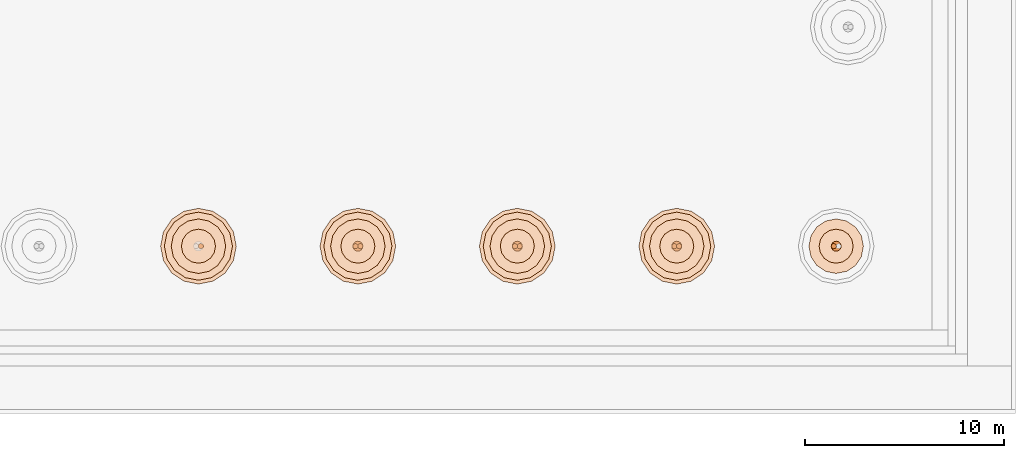
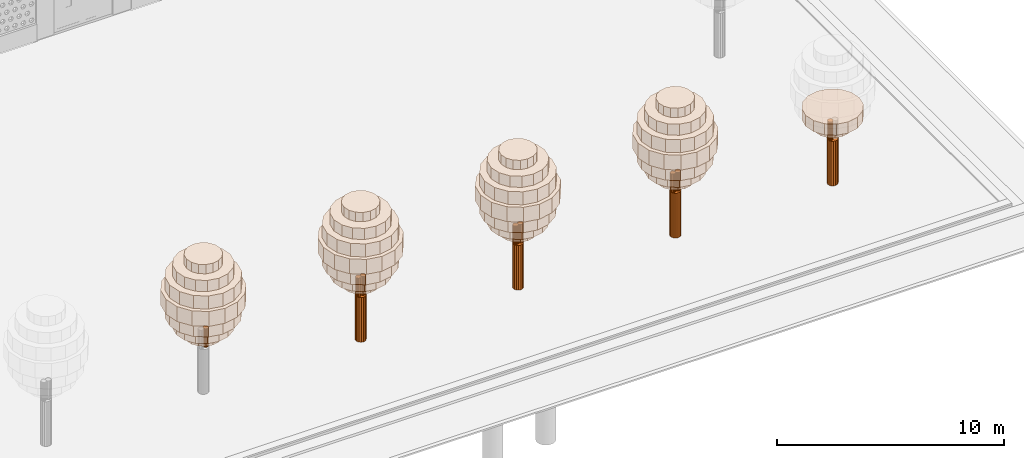
# One storey, part 244 of 250: 42 geographic elements.
"""IFC4 building model written with IfcOpenShell, lengths in metres."""

import ifcopenshell
import ifcopenshell.guid

model = None  # the IFC model being written
_history = None  # IfcOwnerHistory: only IFC2X3 demands one
_inside = {}  # id of a spatial element -> (the spatial element, [elements in it])
_under = {}  # id of a project, library or spatial element -> (it, [spatial elements below it])
_declared = {}  # id of a project -> (the project, [libraries it declares])
_typed = {}  # id of a type object -> (the type object, [elements of that type])
_made_of = {}  # id of a material, layer set ... -> (it, [elements and type objects made of it])


def new_model(schema):
    """Start an empty IFC model of exactly this schema.

    Asked for "IFC4X3", IfcOpenShell would pick the latest addendum, in which some entities
    have other attributes; the version numbers below select the first issue.
    IFC2X3 requires an IfcOwnerHistory on every rooted entity: one is made here for all.
    """
    global model, _history
    if schema == "IFC4X3":
        model = ifcopenshell.file(schema_version=(4, 3, 0, 0))
    else:
        model = ifcopenshell.file(schema=schema)
    _inside.clear()
    _under.clear()
    _declared.clear()
    _typed.clear()
    _made_of.clear()
    _history = None
    if model.schema == "IFC2X3":
        org = make("IfcOrganization", Name="unknown")
        user = make(
            "IfcPersonAndOrganization",
            ThePerson=make("IfcPerson", FamilyName="unknown"),
            TheOrganization=org,
        )
        app = make(
            "IfcApplication",
            ApplicationDeveloper=org,
            Version="unknown",
            ApplicationFullName="unknown",
            ApplicationIdentifier="unknown",
        )
        _history = make(
            "IfcOwnerHistory",
            OwningUser=user,
            OwningApplication=app,
            ChangeAction="ADDED",
            CreationDate=0,
        )
    return model


def make(cls, **values):
    """One entity of the class cls with the attributes given. An attribute that is None is left unset."""
    return model.create_entity(
        cls, **{name: value for name, value in values.items() if value is not None}
    )


def rooted(cls, **values):
    """An entity with a GlobalId (a new one), such as an element, a storey or a relation."""
    return make(cls, GlobalId=ifcopenshell.guid.new(), OwnerHistory=_history, **values)


def si_unit(unit_type, name, prefix=None):
    """IfcSIUnit, for example si_unit("LENGTHUNIT", "METRE", prefix="MILLI")."""
    return make("IfcSIUnit", UnitType=unit_type, Prefix=prefix, Name=name)


def assignment(units):
    """IfcUnitAssignment: the units of a project."""
    return None if units is None else make("IfcUnitAssignment", Units=units)


def point(xyz):
    """IfcCartesianPoint."""
    return None if xyz is None else make("IfcCartesianPoint", Coordinates=xyz)


def direction(xyz):
    """IfcDirection."""
    return None if xyz is None else make("IfcDirection", DirectionRatios=xyz)


def frame(location, z_axis=None, x_axis=None):
    """IfcAxis2Placement3D, a coordinate frame: its origin and axes. An axis left out is left unset."""
    return make(
        "IfcAxis2Placement3D",
        Location=point(location),
        Axis=direction(z_axis),
        RefDirection=direction(x_axis),
    )


def origin():
    """The frame at (0, 0, 0) with its axes left unset."""
    return frame((0.0, 0.0, 0.0))


def place(relative_to, where):
    """IfcLocalPlacement: puts the frame where relative to a parent placement (None: the world)."""
    return make(
        "IfcLocalPlacement", PlacementRelTo=relative_to, RelativePlacement=where
    )


def context(
    kind, dimensions, precision=None, world=None, true_north=None, identifier=None
):
    """IfcGeometricRepresentationContext, for example the 3D "Model" context."""
    return make(
        "IfcGeometricRepresentationContext",
        ContextIdentifier=identifier,
        ContextType=kind,
        CoordinateSpaceDimension=dimensions,
        Precision=precision,
        WorldCoordinateSystem=world,
        TrueNorth=true_north,
    )


def subcontext(parent, identifier, kind, view, scale=None):
    """IfcGeometricRepresentationSubContext, for example "Body" below "Model"."""
    return make(
        "IfcGeometricRepresentationSubContext",
        ContextIdentifier=identifier,
        ContextType=kind,
        ParentContext=parent,
        TargetScale=scale,
        TargetView=view,
    )


def project(units=None, contexts=None):
    """IfcProject with its units and contexts."""
    return rooted(
        "IfcProject",
        Name="project",
        RepresentationContexts=contexts,
        UnitsInContext=assignment(units),
    )


def spatial(cls, under=None, at=None, **own):
    """A site, building, storey or space (cls), placed at a placement, below another one or the project."""
    s = rooted(cls, ObjectPlacement=at, **own)
    if under is not None:
        _under.setdefault(under.id(), (under, []))[1].append(s)
    return s


def polyline(points):
    """IfcPolyline through the points."""
    return make("IfcPolyline", Points=[point(p) for p in points])


def outline(outer, holes=None, kind="AREA"):
    """IfcArbitraryClosedProfileDef: a profile drawn as a closed curve; with holes, ...WithVoids."""
    if holes is None:
        return make("IfcArbitraryClosedProfileDef", ProfileType=kind, OuterCurve=outer)
    return make(
        "IfcArbitraryProfileDefWithVoids",
        ProfileType=kind,
        OuterCurve=outer,
        InnerCurves=holes,
    )


def extrude(swept, where, along, depth):
    """IfcExtrudedAreaSolid: the profile swept, set in the frame where, extruded along a direction by depth."""
    return make(
        "IfcExtrudedAreaSolid",
        SweptArea=swept,
        Position=where,
        ExtrudedDirection=direction(along),
        Depth=depth,
    )


def shape(context_of_items, identifier, shape_type, items):
    """IfcShapeRepresentation: the items that make up one representation, for example the "Body"."""
    return make(
        "IfcShapeRepresentation",
        ContextOfItems=context_of_items,
        RepresentationIdentifier=identifier,
        RepresentationType=shape_type,
        Items=items,
    )


def material(Name=None, Category=None):
    """IfcMaterial."""
    return make("IfcMaterial", Name=Name, Category=Category)


def made_of(thing, what):
    """Note that an element or type object is made of a material, layer set ...; save() writes the relation."""
    if what is not None:
        _made_of.setdefault(what.id(), (what, []))[1].append(thing)
    return thing


def type_object(cls, material=None, **own):
    """A type object (cls), such as IfcWallType, which elements share."""
    return made_of(rooted(cls, **own), material)


def element(
    cls,
    number,
    at=None,
    inside=None,
    cuts=None,
    type_object=None,
    material=None,
    context=None,
    identifier="Body",
    shape_type=None,
    held_by="IfcProductDefinitionShape",
    body=None,
    shapes=None,
    **own,
):
    """One element of the class cls, such as IfcWall. Its Tag is "e" and its number.

    at: its placement. inside: the storey or other place that contains it. cuts: it is an
    opening in that element (IfcRelVoidsElement). A single representation is given by context,
    identifier, shape_type and body (its items); several are given by shapes. held_by: the class
    of the entity that holds the representations. save() writes the other relations.
    """
    e = rooted(cls, Tag="e%d" % number, ObjectPlacement=at, **own)
    if body is not None:
        shapes = [shape(context, identifier, shape_type, body)]
    if shapes is not None:
        e.Representation = make(held_by, Representations=shapes)
    if inside is not None:
        _inside.setdefault(inside.id(), (inside, []))[1].append(e)
    if cuts is not None:
        rooted(
            "IfcRelVoidsElement", RelatingBuildingElement=cuts, RelatedOpeningElement=e
        )
    if type_object is not None:
        _typed.setdefault(type_object.id(), (type_object, []))[1].append(e)
    return made_of(e, material)


def aggregate(whole, parts):
    """IfcRelAggregates: a whole, such as a stair, and the parts it consists of."""
    return rooted("IfcRelAggregates", RelatingObject=whole, RelatedObjects=parts)


def save(model, path):
    """Write the relations noted so far, then the file.

    IfcRelAggregates (storeys below a building ...), IfcRelContainedInSpatialStructure (elements
    in a storey), IfcRelDefinesByType, IfcRelAssociatesMaterial and IfcRelDeclares: one each for
    every whole, place, type object, material and project.
    """
    for whole, parts in _under.values():
        aggregate(whole, parts)
    for where, things in _inside.values():
        rooted(
            "IfcRelContainedInSpatialStructure",
            RelatedElements=things,
            RelatingStructure=where,
        )
    for kind, things in _typed.values():
        rooted("IfcRelDefinesByType", RelatedObjects=things, RelatingType=kind)
    for what, things in _made_of.values():
        rooted("IfcRelAssociatesMaterial", RelatedObjects=things, RelatingMaterial=what)
    for by, libraries in _declared.values():
        rooted("IfcRelDeclares", RelatingContext=by, RelatedDefinitions=libraries)
    model.write(path)


model = new_model("IFC4")

# Units and contexts
model_context = context("Model", 3, precision=1e-05, world=origin(), true_north=direction((0.0, 1.0)))
body_context = subcontext(model_context, "Body", "Model", "MODEL_VIEW")
ifc_project = project(units=[si_unit("LENGTHUNIT", "METRE"), si_unit("AREAUNIT", "SQUARE_METRE"), si_unit("VOLUMEUNIT", "CUBIC_METRE"), si_unit("PLANEANGLEUNIT", "RADIAN"), si_unit("MASSUNIT", "GRAM", prefix="KILO")], contexts=[model_context])

# Site, building, storey
site_placement = place(None, origin())
site = spatial("IfcSite", under=ifc_project, at=site_placement, CompositionType="ELEMENT")
building_placement = place(site_placement, origin())
building = spatial("IfcBuilding", under=site, at=building_placement, Name="Baradari Gate Terminus", CompositionType="ELEMENT")
storey_placement = place(building_placement, origin())
storey = spatial("IfcBuildingStorey", under=building, at=storey_placement, Name="L00", CompositionType="ELEMENT", Elevation=0.0)

# Geographic elements
ifc_material_1 = material(Name="Planted foliage, green")
geographic_element_type_1 = type_object("IfcGeographicElementType", Name="Street tree crown, belly layer TR-4 3420x700", PredefinedType="USERDEFINED", material=ifc_material_1)
for number, where, name in (
    (1, (0.0, 0.0, 4.10009765625), "Street tree 11 crown 3"),
    (2, (0.0, 0.0, 5.60009765625), "Street tree 11 crown 5"),
):
    element("IfcGeographicElement", number, at=place(storey_placement, frame(where)), inside=storey, type_object=geographic_element_type_1, Name=name, ObjectType="TREE", PredefinedType="USERDEFINED", context=body_context, shape_type="SweptSolid", body=[
        extrude(outline(polyline([(212.7099609375, 8.39990234375), (212.579833984375, 9.054443359375), (212.209228515625, 9.609130859375), (211.654296875, 9.979736328125), (211.0, 10.110107421875), (210.345703125, 9.979736328125), (209.790771484375, 9.609130859375), (209.420166015625, 9.054443359375), (209.2900390625, 8.39990234375), (209.420166015625, 7.74560546875), (209.790771484375, 7.19091796875), (210.345703125, 6.820068359375), (211.0, 6.68994140625), (211.654296875, 6.820068359375), (212.209228515625, 7.19091796875), (212.579833984375, 7.74560546875), (212.7099609375, 8.39990234375)])), origin(), (0.0, 0.0, 1.0), 0.699951171875),
    ])
for number, where, name in (
    (3, (0.0, 0.0, 4.10009765625), "Street tree 12 crown 3"),
    (4, (0.0, 0.0, 5.60009765625), "Street tree 12 crown 5"),
):
    element("IfcGeographicElement", number, at=place(storey_placement, frame(where)), inside=storey, type_object=geographic_element_type_1, Name=name, ObjectType="TREE", PredefinedType="USERDEFINED", context=body_context, shape_type="SweptSolid", body=[
        extrude(outline(polyline([(220.7099609375, 8.39990234375), (220.579833984375, 9.054443359375), (220.209228515625, 9.609130859375), (219.654296875, 9.979736328125), (219.0, 10.110107421875), (218.345703125, 9.979736328125), (217.790771484375, 9.609130859375), (217.420166015625, 9.054443359375), (217.2900390625, 8.39990234375), (217.420166015625, 7.74560546875), (217.790771484375, 7.19091796875), (218.345703125, 6.820068359375), (219.0, 6.68994140625), (219.654296875, 6.820068359375), (220.209228515625, 7.19091796875), (220.579833984375, 7.74560546875), (220.7099609375, 8.39990234375)])), origin(), (0.0, 0.0, 1.0), 0.699951171875),
    ])
for number, where, name in (
    (5, (0.0, 0.0, 4.10009765625), "Street tree 13 crown 3"),
    (6, (0.0, 0.0, 5.60009765625), "Street tree 13 crown 5"),
):
    element("IfcGeographicElement", number, at=place(storey_placement, frame(where)), inside=storey, type_object=geographic_element_type_1, Name=name, ObjectType="TREE", PredefinedType="USERDEFINED", context=body_context, shape_type="SweptSolid", body=[
        extrude(outline(polyline([(228.7099609375, 8.39990234375), (228.579833984375, 9.054443359375), (228.209228515625, 9.609130859375), (227.654296875, 9.979736328125), (227.0, 10.110107421875), (226.345703125, 9.979736328125), (225.790771484375, 9.609130859375), (225.420166015625, 9.054443359375), (225.2900390625, 8.39990234375), (225.420166015625, 7.74560546875), (225.790771484375, 7.19091796875), (226.345703125, 6.820068359375), (227.0, 6.68994140625), (227.654296875, 6.820068359375), (228.209228515625, 7.19091796875), (228.579833984375, 7.74560546875), (228.7099609375, 8.39990234375)])), origin(), (0.0, 0.0, 1.0), 0.699951171875),
    ])
for number, where, name in (
    (7, (0.0, 0.0, 4.10009765625), "Street tree 14 crown 3"),
    (8, (0.0, 0.0, 5.60009765625), "Street tree 14 crown 5"),
):
    element("IfcGeographicElement", number, at=place(storey_placement, frame(where)), inside=storey, type_object=geographic_element_type_1, Name=name, ObjectType="TREE", PredefinedType="USERDEFINED", context=body_context, shape_type="SweptSolid", body=[
        extrude(outline(polyline([(236.7099609375, 8.39990234375), (236.579833984375, 9.054443359375), (236.209228515625, 9.609130859375), (235.654296875, 9.979736328125), (235.0, 10.110107421875), (234.345703125, 9.979736328125), (233.790771484375, 9.609130859375), (233.420166015625, 9.054443359375), (233.2900390625, 8.39990234375), (233.420166015625, 7.74560546875), (233.790771484375, 7.19091796875), (234.345703125, 6.820068359375), (235.0, 6.68994140625), (235.654296875, 6.820068359375), (236.209228515625, 7.19091796875), (236.579833984375, 7.74560546875), (236.7099609375, 8.39990234375)])), origin(), (0.0, 0.0, 1.0), 0.699951171875),
    ])
ifc_material_2 = material(Name="Planted foliage, green")
geographic_element_type_2 = type_object("IfcGeographicElementType", Name="Street tree crown, core layer TR-5 3800x800", PredefinedType="USERDEFINED", material=ifc_material_2)
geographic_element_1_placement = place(storey_placement, frame((0.0, 0.0, 4.800048828125)))
element("IfcGeographicElement", 9, at=geographic_element_1_placement, inside=storey, type_object=geographic_element_type_2, Name="Street tree 11 crown 4", ObjectType="TREE", PredefinedType="USERDEFINED", context=body_context, shape_type="SweptSolid", body=[
    extrude(outline(polyline([(212.89990234375, 8.39990234375), (212.75537109375, 9.127197265625), (212.343505859375, 9.743408203125), (211.72705078125, 10.1552734375), (211.0, 10.300048828125), (210.27294921875, 10.1552734375), (209.656494140625, 9.743408203125), (209.24462890625, 9.127197265625), (209.10009765625, 8.39990234375), (209.24462890625, 7.6728515625), (209.656494140625, 7.056396484375), (210.27294921875, 6.64453125), (211.0, 6.5), (211.72705078125, 6.64453125), (212.343505859375, 7.056396484375), (212.75537109375, 7.6728515625), (212.89990234375, 8.39990234375)])), origin(), (0.0, 0.0, 1.0), 0.800048828125),
])
geographic_element_2_placement = place(storey_placement, frame((0.0, 0.0, 4.800048828125)))
element("IfcGeographicElement", 10, at=geographic_element_2_placement, inside=storey, type_object=geographic_element_type_2, Name="Street tree 12 crown 4", ObjectType="TREE", PredefinedType="USERDEFINED", context=body_context, shape_type="SweptSolid", body=[
    extrude(outline(polyline([(220.89990234375, 8.39990234375), (220.75537109375, 9.127197265625), (220.343505859375, 9.743408203125), (219.72705078125, 10.1552734375), (219.0, 10.300048828125), (218.27294921875, 10.1552734375), (217.656494140625, 9.743408203125), (217.24462890625, 9.127197265625), (217.10009765625, 8.39990234375), (217.24462890625, 7.6728515625), (217.656494140625, 7.056396484375), (218.27294921875, 6.64453125), (219.0, 6.5), (219.72705078125, 6.64453125), (220.343505859375, 7.056396484375), (220.75537109375, 7.6728515625), (220.89990234375, 8.39990234375)])), origin(), (0.0, 0.0, 1.0), 0.800048828125),
])
geographic_element_3_placement = place(storey_placement, frame((0.0, 0.0, 4.800048828125)))
element("IfcGeographicElement", 11, at=geographic_element_3_placement, inside=storey, type_object=geographic_element_type_2, Name="Street tree 13 crown 4", ObjectType="TREE", PredefinedType="USERDEFINED", context=body_context, shape_type="SweptSolid", body=[
    extrude(outline(polyline([(228.89990234375, 8.39990234375), (228.75537109375, 9.127197265625), (228.343505859375, 9.743408203125), (227.72705078125, 10.1552734375), (227.0, 10.300048828125), (226.27294921875, 10.1552734375), (225.656494140625, 9.743408203125), (225.24462890625, 9.127197265625), (225.10009765625, 8.39990234375), (225.24462890625, 7.6728515625), (225.656494140625, 7.056396484375), (226.27294921875, 6.64453125), (227.0, 6.5), (227.72705078125, 6.64453125), (228.343505859375, 7.056396484375), (228.75537109375, 7.6728515625), (228.89990234375, 8.39990234375)])), origin(), (0.0, 0.0, 1.0), 0.800048828125),
])
geographic_element_4_placement = place(storey_placement, frame((0.0, 0.0, 4.800048828125)))
element("IfcGeographicElement", 12, at=geographic_element_4_placement, inside=storey, type_object=geographic_element_type_2, Name="Street tree 14 crown 4", ObjectType="TREE", PredefinedType="USERDEFINED", context=body_context, shape_type="SweptSolid", body=[
    extrude(outline(polyline([(236.89990234375, 8.39990234375), (236.75537109375, 9.127197265625), (236.343505859375, 9.743408203125), (235.72705078125, 10.1552734375), (235.0, 10.300048828125), (234.27294921875, 10.1552734375), (233.656494140625, 9.743408203125), (233.24462890625, 9.127197265625), (233.10009765625, 8.39990234375), (233.24462890625, 7.6728515625), (233.656494140625, 7.056396484375), (234.27294921875, 6.64453125), (235.0, 6.5), (235.72705078125, 6.64453125), (236.343505859375, 7.056396484375), (236.75537109375, 7.6728515625), (236.89990234375, 8.39990234375)])), origin(), (0.0, 0.0, 1.0), 0.800048828125),
])
ifc_material_3 = material(Name="Planted foliage, green")
geographic_element_type_3 = type_object("IfcGeographicElementType", Name="Street tree crown, rim layer TR-2 1710x500", PredefinedType="USERDEFINED", material=ifc_material_3)
for number, where, name in (
    (13, (0.0, 0.0, 3.0), "Street tree 11 crown 1"),
    (14, (0.0, 0.0, 6.89990234375), "Street tree 11 crown 7"),
):
    element("IfcGeographicElement", number, at=place(storey_placement, frame(where)), inside=storey, type_object=geographic_element_type_3, Name=name, ObjectType="TREE", PredefinedType="USERDEFINED", context=body_context, shape_type="SweptSolid", body=[
        extrude(outline(polyline([(211.85498046875, 8.39990234375), (211.7900390625, 8.727294921875), (211.6044921875, 9.004638671875), (211.3271484375, 9.18994140625), (211.0, 9.2548828125), (210.6728515625, 9.18994140625), (210.3955078125, 9.004638671875), (210.2099609375, 8.727294921875), (210.14501953125, 8.39990234375), (210.2099609375, 8.07275390625), (210.3955078125, 7.79541015625), (210.6728515625, 7.610107421875), (211.0, 7.544921875), (211.3271484375, 7.610107421875), (211.6044921875, 7.79541015625), (211.7900390625, 8.07275390625), (211.85498046875, 8.39990234375)])), origin(), (0.0, 0.0, 1.0), 0.5),
    ])
for number, where, name in (
    (15, (0.0, 0.0, 3.0), "Street tree 12 crown 1"),
    (16, (0.0, 0.0, 6.89990234375), "Street tree 12 crown 7"),
):
    element("IfcGeographicElement", number, at=place(storey_placement, frame(where)), inside=storey, type_object=geographic_element_type_3, Name=name, ObjectType="TREE", PredefinedType="USERDEFINED", context=body_context, shape_type="SweptSolid", body=[
        extrude(outline(polyline([(219.85498046875, 8.39990234375), (219.7900390625, 8.727294921875), (219.6044921875, 9.004638671875), (219.3271484375, 9.18994140625), (219.0, 9.2548828125), (218.6728515625, 9.18994140625), (218.3955078125, 9.004638671875), (218.2099609375, 8.727294921875), (218.14501953125, 8.39990234375), (218.2099609375, 8.07275390625), (218.3955078125, 7.79541015625), (218.6728515625, 7.610107421875), (219.0, 7.544921875), (219.3271484375, 7.610107421875), (219.6044921875, 7.79541015625), (219.7900390625, 8.07275390625), (219.85498046875, 8.39990234375)])), origin(), (0.0, 0.0, 1.0), 0.5),
    ])
for number, where, name in (
    (17, (0.0, 0.0, 3.0), "Street tree 13 crown 1"),
    (18, (0.0, 0.0, 6.89990234375), "Street tree 13 crown 7"),
):
    element("IfcGeographicElement", number, at=place(storey_placement, frame(where)), inside=storey, type_object=geographic_element_type_3, Name=name, ObjectType="TREE", PredefinedType="USERDEFINED", context=body_context, shape_type="SweptSolid", body=[
        extrude(outline(polyline([(227.85498046875, 8.39990234375), (227.7900390625, 8.727294921875), (227.6044921875, 9.004638671875), (227.3271484375, 9.18994140625), (227.0, 9.2548828125), (226.6728515625, 9.18994140625), (226.3955078125, 9.004638671875), (226.2099609375, 8.727294921875), (226.14501953125, 8.39990234375), (226.2099609375, 8.07275390625), (226.3955078125, 7.79541015625), (226.6728515625, 7.610107421875), (227.0, 7.544921875), (227.3271484375, 7.610107421875), (227.6044921875, 7.79541015625), (227.7900390625, 8.07275390625), (227.85498046875, 8.39990234375)])), origin(), (0.0, 0.0, 1.0), 0.5),
    ])
for number, where, name in (
    (19, (0.0, 0.0, 3.0), "Street tree 14 crown 1"),
    (20, (0.0, 0.0, 6.89990234375), "Street tree 14 crown 7"),
):
    element("IfcGeographicElement", number, at=place(storey_placement, frame(where)), inside=storey, type_object=geographic_element_type_3, Name=name, ObjectType="TREE", PredefinedType="USERDEFINED", context=body_context, shape_type="SweptSolid", body=[
        extrude(outline(polyline([(235.85498046875, 8.39990234375), (235.7900390625, 8.727294921875), (235.6044921875, 9.004638671875), (235.3271484375, 9.18994140625), (235.0, 9.2548828125), (234.6728515625, 9.18994140625), (234.3955078125, 9.004638671875), (234.2099609375, 8.727294921875), (234.14501953125, 8.39990234375), (234.2099609375, 8.07275390625), (234.3955078125, 7.79541015625), (234.6728515625, 7.610107421875), (235.0, 7.544921875), (235.3271484375, 7.610107421875), (235.6044921875, 7.79541015625), (235.7900390625, 8.07275390625), (235.85498046875, 8.39990234375)])), origin(), (0.0, 0.0, 1.0), 0.5),
    ])
geographic_element_5_placement = place(storey_placement, frame((0.0, 0.0, 3.0)))
element("IfcGeographicElement", 21, at=geographic_element_5_placement, inside=storey, type_object=geographic_element_type_3, Name="Street tree 15 crown 1", ObjectType="TREE", PredefinedType="USERDEFINED", context=body_context, shape_type="SweptSolid", body=[
    extrude(outline(polyline([(243.85498046875, 8.39990234375), (243.7900390625, 8.727294921875), (243.6044921875, 9.004638671875), (243.3271484375, 9.18994140625), (243.0, 9.2548828125), (242.6728515625, 9.18994140625), (242.3955078125, 9.004638671875), (242.2099609375, 8.727294921875), (242.14501953125, 8.39990234375), (242.2099609375, 8.07275390625), (242.3955078125, 7.79541015625), (242.6728515625, 7.610107421875), (243.0, 7.544921875), (243.3271484375, 7.610107421875), (243.6044921875, 7.79541015625), (243.7900390625, 8.07275390625), (243.85498046875, 8.39990234375)])), origin(), (0.0, 0.0, 1.0), 0.5),
])
ifc_material_4 = material(Name="Planted foliage, green")
geographic_element_type_4 = type_object("IfcGeographicElementType", Name="Street tree crown, shoulder layer TR-3 2736x600", PredefinedType="USERDEFINED", material=ifc_material_4)
geographic_element_6_placement = place(storey_placement, frame((0.0, 0.0, 3.5)))
element("IfcGeographicElement", 22, at=geographic_element_6_placement, inside=storey, type_object=geographic_element_type_4, Name="Street tree 11 crown 2", ObjectType="TREE", PredefinedType="USERDEFINED", context=body_context, shape_type="SweptSolid", body=[
    extrude(outline(polyline([(212.367919921875, 8.39990234375), (212.263916015625, 8.923583984375), (211.96728515625, 9.367431640625), (211.5234375, 9.663818359375), (211.0, 9.76806640625), (210.4765625, 9.663818359375), (210.03271484375, 9.367431640625), (209.736083984375, 8.923583984375), (209.632080078125, 8.39990234375), (209.736083984375, 7.87646484375), (210.03271484375, 7.4326171875), (210.4765625, 7.13623046875), (211.0, 7.031982421875), (211.5234375, 7.13623046875), (211.96728515625, 7.4326171875), (212.263916015625, 7.87646484375), (212.367919921875, 8.39990234375)])), origin(), (0.0, 0.0, 1.0), 0.60009765625),
])
geographic_element_7_placement = place(storey_placement, frame((0.0, 0.0, 6.300048828125)))
element("IfcGeographicElement", 23, at=geographic_element_7_placement, inside=storey, type_object=geographic_element_type_4, Name="Street tree 11 crown 6", ObjectType="TREE", PredefinedType="USERDEFINED", context=body_context, shape_type="SweptSolid", body=[
    extrude(outline(polyline([(212.367919921875, 8.39990234375), (212.263916015625, 8.923583984375), (211.96728515625, 9.367431640625), (211.5234375, 9.663818359375), (211.0, 9.76806640625), (210.4765625, 9.663818359375), (210.03271484375, 9.367431640625), (209.736083984375, 8.923583984375), (209.632080078125, 8.39990234375), (209.736083984375, 7.87646484375), (210.03271484375, 7.4326171875), (210.4765625, 7.13623046875), (211.0, 7.031982421875), (211.5234375, 7.13623046875), (211.96728515625, 7.4326171875), (212.263916015625, 7.87646484375), (212.367919921875, 8.39990234375)])), origin(), (0.0, 0.0, 1.0), 0.599853515625),
])
geographic_element_8_placement = place(storey_placement, frame((0.0, 0.0, 3.5)))
element("IfcGeographicElement", 24, at=geographic_element_8_placement, inside=storey, type_object=geographic_element_type_4, Name="Street tree 12 crown 2", ObjectType="TREE", PredefinedType="USERDEFINED", context=body_context, shape_type="SweptSolid", body=[
    extrude(outline(polyline([(220.367919921875, 8.39990234375), (220.263916015625, 8.923583984375), (219.96728515625, 9.367431640625), (219.5234375, 9.663818359375), (219.0, 9.76806640625), (218.4765625, 9.663818359375), (218.03271484375, 9.367431640625), (217.736083984375, 8.923583984375), (217.632080078125, 8.39990234375), (217.736083984375, 7.87646484375), (218.03271484375, 7.4326171875), (218.4765625, 7.13623046875), (219.0, 7.031982421875), (219.5234375, 7.13623046875), (219.96728515625, 7.4326171875), (220.263916015625, 7.87646484375), (220.367919921875, 8.39990234375)])), origin(), (0.0, 0.0, 1.0), 0.60009765625),
])
geographic_element_9_placement = place(storey_placement, frame((0.0, 0.0, 6.300048828125)))
element("IfcGeographicElement", 25, at=geographic_element_9_placement, inside=storey, type_object=geographic_element_type_4, Name="Street tree 12 crown 6", ObjectType="TREE", PredefinedType="USERDEFINED", context=body_context, shape_type="SweptSolid", body=[
    extrude(outline(polyline([(220.367919921875, 8.39990234375), (220.263916015625, 8.923583984375), (219.96728515625, 9.367431640625), (219.5234375, 9.663818359375), (219.0, 9.76806640625), (218.4765625, 9.663818359375), (218.03271484375, 9.367431640625), (217.736083984375, 8.923583984375), (217.632080078125, 8.39990234375), (217.736083984375, 7.87646484375), (218.03271484375, 7.4326171875), (218.4765625, 7.13623046875), (219.0, 7.031982421875), (219.5234375, 7.13623046875), (219.96728515625, 7.4326171875), (220.263916015625, 7.87646484375), (220.367919921875, 8.39990234375)])), origin(), (0.0, 0.0, 1.0), 0.599853515625),
])
geographic_element_10_placement = place(storey_placement, frame((0.0, 0.0, 3.5)))
element("IfcGeographicElement", 26, at=geographic_element_10_placement, inside=storey, type_object=geographic_element_type_4, Name="Street tree 13 crown 2", ObjectType="TREE", PredefinedType="USERDEFINED", context=body_context, shape_type="SweptSolid", body=[
    extrude(outline(polyline([(228.367919921875, 8.39990234375), (228.263916015625, 8.923583984375), (227.96728515625, 9.367431640625), (227.5234375, 9.663818359375), (227.0, 9.76806640625), (226.4765625, 9.663818359375), (226.03271484375, 9.367431640625), (225.736083984375, 8.923583984375), (225.632080078125, 8.39990234375), (225.736083984375, 7.87646484375), (226.03271484375, 7.4326171875), (226.4765625, 7.13623046875), (227.0, 7.031982421875), (227.5234375, 7.13623046875), (227.96728515625, 7.4326171875), (228.263916015625, 7.87646484375), (228.367919921875, 8.39990234375)])), origin(), (0.0, 0.0, 1.0), 0.60009765625),
])
geographic_element_11_placement = place(storey_placement, frame((0.0, 0.0, 6.300048828125)))
element("IfcGeographicElement", 27, at=geographic_element_11_placement, inside=storey, type_object=geographic_element_type_4, Name="Street tree 13 crown 6", ObjectType="TREE", PredefinedType="USERDEFINED", context=body_context, shape_type="SweptSolid", body=[
    extrude(outline(polyline([(228.367919921875, 8.39990234375), (228.263916015625, 8.923583984375), (227.96728515625, 9.367431640625), (227.5234375, 9.663818359375), (227.0, 9.76806640625), (226.4765625, 9.663818359375), (226.03271484375, 9.367431640625), (225.736083984375, 8.923583984375), (225.632080078125, 8.39990234375), (225.736083984375, 7.87646484375), (226.03271484375, 7.4326171875), (226.4765625, 7.13623046875), (227.0, 7.031982421875), (227.5234375, 7.13623046875), (227.96728515625, 7.4326171875), (228.263916015625, 7.87646484375), (228.367919921875, 8.39990234375)])), origin(), (0.0, 0.0, 1.0), 0.599853515625),
])
geographic_element_12_placement = place(storey_placement, frame((0.0, 0.0, 3.5)))
element("IfcGeographicElement", 28, at=geographic_element_12_placement, inside=storey, type_object=geographic_element_type_4, Name="Street tree 14 crown 2", ObjectType="TREE", PredefinedType="USERDEFINED", context=body_context, shape_type="SweptSolid", body=[
    extrude(outline(polyline([(236.367919921875, 8.39990234375), (236.263916015625, 8.923583984375), (235.96728515625, 9.367431640625), (235.5234375, 9.663818359375), (235.0, 9.76806640625), (234.4765625, 9.663818359375), (234.03271484375, 9.367431640625), (233.736083984375, 8.923583984375), (233.632080078125, 8.39990234375), (233.736083984375, 7.87646484375), (234.03271484375, 7.4326171875), (234.4765625, 7.13623046875), (235.0, 7.031982421875), (235.5234375, 7.13623046875), (235.96728515625, 7.4326171875), (236.263916015625, 7.87646484375), (236.367919921875, 8.39990234375)])), origin(), (0.0, 0.0, 1.0), 0.60009765625),
])
geographic_element_13_placement = place(storey_placement, frame((0.0, 0.0, 6.300048828125)))
element("IfcGeographicElement", 29, at=geographic_element_13_placement, inside=storey, type_object=geographic_element_type_4, Name="Street tree 14 crown 6", ObjectType="TREE", PredefinedType="USERDEFINED", context=body_context, shape_type="SweptSolid", body=[
    extrude(outline(polyline([(236.367919921875, 8.39990234375), (236.263916015625, 8.923583984375), (235.96728515625, 9.367431640625), (235.5234375, 9.663818359375), (235.0, 9.76806640625), (234.4765625, 9.663818359375), (234.03271484375, 9.367431640625), (233.736083984375, 8.923583984375), (233.632080078125, 8.39990234375), (233.736083984375, 7.87646484375), (234.03271484375, 7.4326171875), (234.4765625, 7.13623046875), (235.0, 7.031982421875), (235.5234375, 7.13623046875), (235.96728515625, 7.4326171875), (236.263916015625, 7.87646484375), (236.367919921875, 8.39990234375)])), origin(), (0.0, 0.0, 1.0), 0.599853515625),
])
geographic_element_14_placement = place(storey_placement, frame((0.0, 0.0, 3.5)))
element("IfcGeographicElement", 30, at=geographic_element_14_placement, inside=storey, type_object=geographic_element_type_4, Name="Street tree 15 crown 2", ObjectType="TREE", PredefinedType="USERDEFINED", context=body_context, shape_type="SweptSolid", body=[
    extrude(outline(polyline([(244.367919921875, 8.39990234375), (244.263916015625, 8.923583984375), (243.96728515625, 9.367431640625), (243.5234375, 9.663818359375), (243.0, 9.76806640625), (242.4765625, 9.663818359375), (242.03271484375, 9.367431640625), (241.736083984375, 8.923583984375), (241.632080078125, 8.39990234375), (241.736083984375, 7.87646484375), (242.03271484375, 7.4326171875), (242.4765625, 7.13623046875), (243.0, 7.031982421875), (243.5234375, 7.13623046875), (243.96728515625, 7.4326171875), (244.263916015625, 7.87646484375), (244.367919921875, 8.39990234375)])), origin(), (0.0, 0.0, 1.0), 0.60009765625),
])
ifc_material_5 = material(Name="Timber, hardwood", Category="wood")
geographic_element_type_5 = type_object("IfcGeographicElementType", Name="Street tree limb TR-11 260x1000", PredefinedType="USERDEFINED", material=ifc_material_5)
geographic_element_15_placement = place(storey_placement, frame((0.0, 0.0, 2.39990234375)))
element("IfcGeographicElement", 31, at=geographic_element_15_placement, inside=storey, type_object=geographic_element_type_5, Name="Street tree 11 limb 2", ObjectType="TREE", PredefinedType="USERDEFINED", context=body_context, shape_type="SweptSolid", body=[
    extrude(outline(polyline([(211.25, 8.39990234375), (211.239990234375, 8.44970703125), (211.2119140625, 8.491943359375), (211.169677734375, 8.52001953125), (211.1201171875, 8.530029296875), (211.0703125, 8.52001953125), (211.028076171875, 8.491943359375), (211.0, 8.44970703125), (210.989990234375, 8.39990234375), (211.0, 8.350341796875), (211.028076171875, 8.30810546875), (211.0703125, 8.27978515625), (211.1201171875, 8.27001953125), (211.169677734375, 8.27978515625), (211.2119140625, 8.30810546875), (211.239990234375, 8.350341796875), (211.25, 8.39990234375)])), origin(), (0.0, 0.0, 1.0), 1.0),
])
geographic_element_16_placement = place(storey_placement, frame((0.0, 0.0, 2.39990234375)))
element("IfcGeographicElement", 32, at=geographic_element_16_placement, inside=storey, type_object=geographic_element_type_5, Name="Street tree 12 limb 1", ObjectType="TREE", PredefinedType="USERDEFINED", context=body_context, shape_type="SweptSolid", body=[
    extrude(outline(polyline([(219.010009765625, 8.39990234375), (219.0, 8.44970703125), (218.971923828125, 8.491943359375), (218.9296875, 8.52001953125), (218.8798828125, 8.530029296875), (218.830322265625, 8.52001953125), (218.7880859375, 8.491943359375), (218.760009765625, 8.44970703125), (218.75, 8.39990234375), (218.760009765625, 8.350341796875), (218.7880859375, 8.30810546875), (218.830322265625, 8.27978515625), (218.8798828125, 8.27001953125), (218.9296875, 8.27978515625), (218.971923828125, 8.30810546875), (219.0, 8.350341796875), (219.010009765625, 8.39990234375)])), origin(), (0.0, 0.0, 1.0), 1.0),
])
geographic_element_17_placement = place(storey_placement, frame((0.0, 0.0, 2.39990234375)))
element("IfcGeographicElement", 33, at=geographic_element_17_placement, inside=storey, type_object=geographic_element_type_5, Name="Street tree 12 limb 2", ObjectType="TREE", PredefinedType="USERDEFINED", context=body_context, shape_type="SweptSolid", body=[
    extrude(outline(polyline([(219.25, 8.39990234375), (219.239990234375, 8.44970703125), (219.2119140625, 8.491943359375), (219.169677734375, 8.52001953125), (219.1201171875, 8.530029296875), (219.0703125, 8.52001953125), (219.028076171875, 8.491943359375), (219.0, 8.44970703125), (218.989990234375, 8.39990234375), (219.0, 8.350341796875), (219.028076171875, 8.30810546875), (219.0703125, 8.27978515625), (219.1201171875, 8.27001953125), (219.169677734375, 8.27978515625), (219.2119140625, 8.30810546875), (219.239990234375, 8.350341796875), (219.25, 8.39990234375)])), origin(), (0.0, 0.0, 1.0), 1.0),
])
geographic_element_18_placement = place(storey_placement, frame((0.0, 0.0, 2.39990234375)))
element("IfcGeographicElement", 34, at=geographic_element_18_placement, inside=storey, type_object=geographic_element_type_5, Name="Street tree 13 limb 1", ObjectType="TREE", PredefinedType="USERDEFINED", context=body_context, shape_type="SweptSolid", body=[
    extrude(outline(polyline([(227.010009765625, 8.39990234375), (227.0, 8.44970703125), (226.971923828125, 8.491943359375), (226.9296875, 8.52001953125), (226.8798828125, 8.530029296875), (226.830322265625, 8.52001953125), (226.7880859375, 8.491943359375), (226.760009765625, 8.44970703125), (226.75, 8.39990234375), (226.760009765625, 8.350341796875), (226.7880859375, 8.30810546875), (226.830322265625, 8.27978515625), (226.8798828125, 8.27001953125), (226.9296875, 8.27978515625), (226.971923828125, 8.30810546875), (227.0, 8.350341796875), (227.010009765625, 8.39990234375)])), origin(), (0.0, 0.0, 1.0), 1.0),
])
geographic_element_19_placement = place(storey_placement, frame((0.0, 0.0, 2.39990234375)))
element("IfcGeographicElement", 35, at=geographic_element_19_placement, inside=storey, type_object=geographic_element_type_5, Name="Street tree 13 limb 2", ObjectType="TREE", PredefinedType="USERDEFINED", context=body_context, shape_type="SweptSolid", body=[
    extrude(outline(polyline([(227.25, 8.39990234375), (227.239990234375, 8.44970703125), (227.2119140625, 8.491943359375), (227.169677734375, 8.52001953125), (227.1201171875, 8.530029296875), (227.0703125, 8.52001953125), (227.028076171875, 8.491943359375), (227.0, 8.44970703125), (226.989990234375, 8.39990234375), (227.0, 8.350341796875), (227.028076171875, 8.30810546875), (227.0703125, 8.27978515625), (227.1201171875, 8.27001953125), (227.169677734375, 8.27978515625), (227.2119140625, 8.30810546875), (227.239990234375, 8.350341796875), (227.25, 8.39990234375)])), origin(), (0.0, 0.0, 1.0), 1.0),
])
geographic_element_20_placement = place(storey_placement, frame((0.0, 0.0, 2.39990234375)))
element("IfcGeographicElement", 36, at=geographic_element_20_placement, inside=storey, type_object=geographic_element_type_5, Name="Street tree 14 limb 1", ObjectType="TREE", PredefinedType="USERDEFINED", context=body_context, shape_type="SweptSolid", body=[
    extrude(outline(polyline([(235.010009765625, 8.39990234375), (235.0, 8.44970703125), (234.971923828125, 8.491943359375), (234.9296875, 8.52001953125), (234.8798828125, 8.530029296875), (234.830322265625, 8.52001953125), (234.7880859375, 8.491943359375), (234.760009765625, 8.44970703125), (234.75, 8.39990234375), (234.760009765625, 8.350341796875), (234.7880859375, 8.30810546875), (234.830322265625, 8.27978515625), (234.8798828125, 8.27001953125), (234.9296875, 8.27978515625), (234.971923828125, 8.30810546875), (235.0, 8.350341796875), (235.010009765625, 8.39990234375)])), origin(), (0.0, 0.0, 1.0), 1.0),
])
geographic_element_21_placement = place(storey_placement, frame((0.0, 0.0, 2.39990234375)))
element("IfcGeographicElement", 37, at=geographic_element_21_placement, inside=storey, type_object=geographic_element_type_5, Name="Street tree 14 limb 2", ObjectType="TREE", PredefinedType="USERDEFINED", context=body_context, shape_type="SweptSolid", body=[
    extrude(outline(polyline([(235.25, 8.39990234375), (235.239990234375, 8.44970703125), (235.2119140625, 8.491943359375), (235.169677734375, 8.52001953125), (235.1201171875, 8.530029296875), (235.0703125, 8.52001953125), (235.028076171875, 8.491943359375), (235.0, 8.44970703125), (234.989990234375, 8.39990234375), (235.0, 8.350341796875), (235.028076171875, 8.30810546875), (235.0703125, 8.27978515625), (235.1201171875, 8.27001953125), (235.169677734375, 8.27978515625), (235.2119140625, 8.30810546875), (235.239990234375, 8.350341796875), (235.25, 8.39990234375)])), origin(), (0.0, 0.0, 1.0), 1.0),
])
geographic_element_22_placement = place(storey_placement, frame((0.0, 0.0, 2.39990234375)))
element("IfcGeographicElement", 38, at=geographic_element_22_placement, inside=storey, type_object=geographic_element_type_5, Name="Street tree 15 limb 1", ObjectType="TREE", PredefinedType="USERDEFINED", context=body_context, shape_type="SweptSolid", body=[
    extrude(outline(polyline([(243.010009765625, 8.39990234375), (243.0, 8.44970703125), (242.971923828125, 8.491943359375), (242.9296875, 8.52001953125), (242.8798828125, 8.530029296875), (242.830322265625, 8.52001953125), (242.7880859375, 8.491943359375), (242.760009765625, 8.44970703125), (242.75, 8.39990234375), (242.760009765625, 8.350341796875), (242.7880859375, 8.30810546875), (242.830322265625, 8.27978515625), (242.8798828125, 8.27001953125), (242.9296875, 8.27978515625), (242.971923828125, 8.30810546875), (243.0, 8.350341796875), (243.010009765625, 8.39990234375)])), origin(), (0.0, 0.0, 1.0), 1.0),
])
ifc_material_6 = material(Name="Timber, hardwood", Category="wood")
geographic_element_type_6 = type_object("IfcGeographicElementType", Name="Street tree trunk TR-1 500x2400", PredefinedType="USERDEFINED", material=ifc_material_6)
geographic_element_23_placement = place(storey_placement, origin())
element("IfcGeographicElement", 39, at=geographic_element_23_placement, inside=storey, type_object=geographic_element_type_6, Name="Street tree 12 trunk", ObjectType="TREE", PredefinedType="USERDEFINED", context=body_context, shape_type="SweptSolid", body=[
    extrude(outline(polyline([(219.25, 8.39990234375), (219.23095703125, 8.49560546875), (219.1767578125, 8.57666015625), (219.095703125, 8.630859375), (219.0, 8.64990234375), (218.904296875, 8.630859375), (218.8232421875, 8.57666015625), (218.76904296875, 8.49560546875), (218.75, 8.39990234375), (218.76904296875, 8.304443359375), (218.8232421875, 8.22314453125), (218.904296875, 8.1689453125), (219.0, 8.14990234375), (219.095703125, 8.1689453125), (219.1767578125, 8.22314453125), (219.23095703125, 8.304443359375), (219.25, 8.39990234375)])), origin(), (0.0, 0.0, 1.0), 2.39990234375),
])
geographic_element_24_placement = place(storey_placement, origin())
element("IfcGeographicElement", 40, at=geographic_element_24_placement, inside=storey, type_object=geographic_element_type_6, Name="Street tree 13 trunk", ObjectType="TREE", PredefinedType="USERDEFINED", context=body_context, shape_type="SweptSolid", body=[
    extrude(outline(polyline([(227.25, 8.39990234375), (227.23095703125, 8.49560546875), (227.1767578125, 8.57666015625), (227.095703125, 8.630859375), (227.0, 8.64990234375), (226.904296875, 8.630859375), (226.8232421875, 8.57666015625), (226.76904296875, 8.49560546875), (226.75, 8.39990234375), (226.76904296875, 8.304443359375), (226.8232421875, 8.22314453125), (226.904296875, 8.1689453125), (227.0, 8.14990234375), (227.095703125, 8.1689453125), (227.1767578125, 8.22314453125), (227.23095703125, 8.304443359375), (227.25, 8.39990234375)])), origin(), (0.0, 0.0, 1.0), 2.39990234375),
])
geographic_element_25_placement = place(storey_placement, origin())
element("IfcGeographicElement", 41, at=geographic_element_25_placement, inside=storey, type_object=geographic_element_type_6, Name="Street tree 14 trunk", ObjectType="TREE", PredefinedType="USERDEFINED", context=body_context, shape_type="SweptSolid", body=[
    extrude(outline(polyline([(235.25, 8.39990234375), (235.23095703125, 8.49560546875), (235.1767578125, 8.57666015625), (235.095703125, 8.630859375), (235.0, 8.64990234375), (234.904296875, 8.630859375), (234.8232421875, 8.57666015625), (234.76904296875, 8.49560546875), (234.75, 8.39990234375), (234.76904296875, 8.304443359375), (234.8232421875, 8.22314453125), (234.904296875, 8.1689453125), (235.0, 8.14990234375), (235.095703125, 8.1689453125), (235.1767578125, 8.22314453125), (235.23095703125, 8.304443359375), (235.25, 8.39990234375)])), origin(), (0.0, 0.0, 1.0), 2.39990234375),
])
geographic_element_26_placement = place(storey_placement, origin())
element("IfcGeographicElement", 42, at=geographic_element_26_placement, inside=storey, type_object=geographic_element_type_6, Name="Street tree 15 trunk", ObjectType="TREE", PredefinedType="USERDEFINED", context=body_context, shape_type="SweptSolid", body=[
    extrude(outline(polyline([(243.25, 8.39990234375), (243.23095703125, 8.49560546875), (243.1767578125, 8.57666015625), (243.095703125, 8.630859375), (243.0, 8.64990234375), (242.904296875, 8.630859375), (242.8232421875, 8.57666015625), (242.76904296875, 8.49560546875), (242.75, 8.39990234375), (242.76904296875, 8.304443359375), (242.8232421875, 8.22314453125), (242.904296875, 8.1689453125), (243.0, 8.14990234375), (243.095703125, 8.1689453125), (243.1767578125, 8.22314453125), (243.23095703125, 8.304443359375), (243.25, 8.39990234375)])), origin(), (0.0, 0.0, 1.0), 2.39990234375),
])

save(model, "model.ifc")
